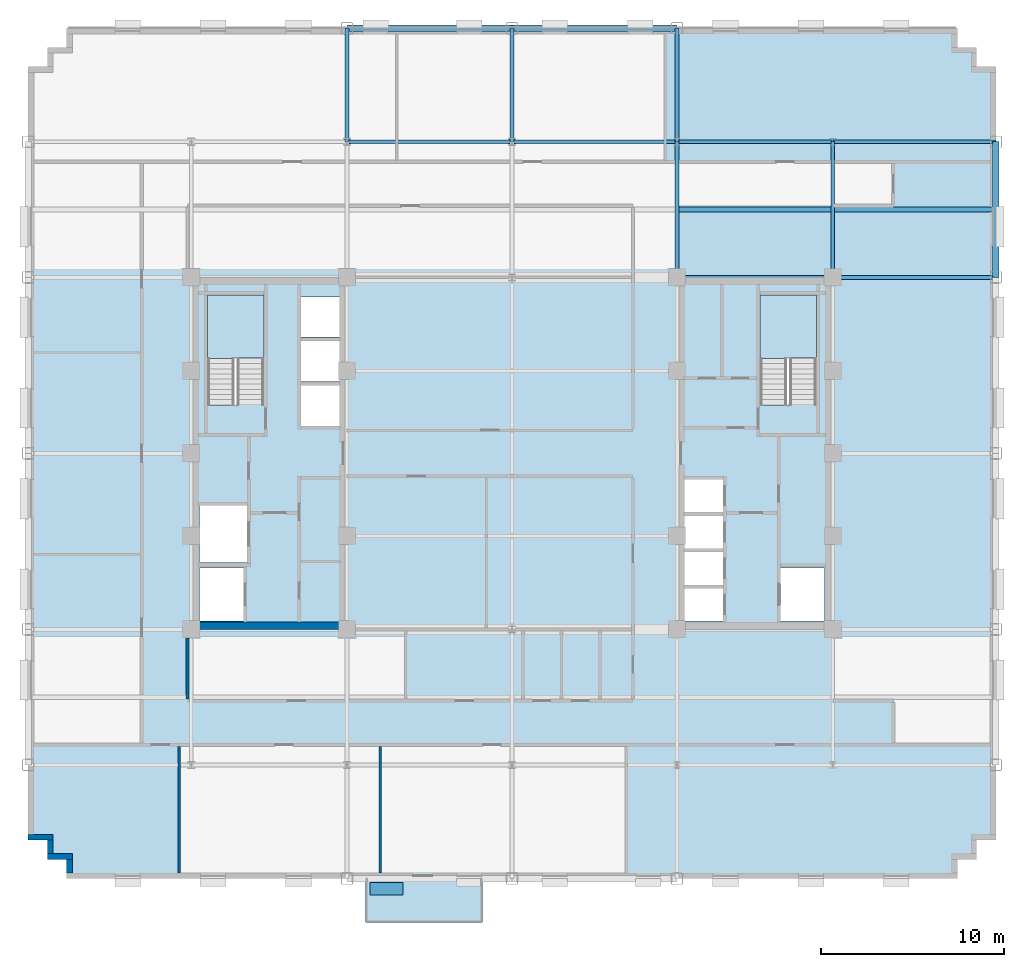
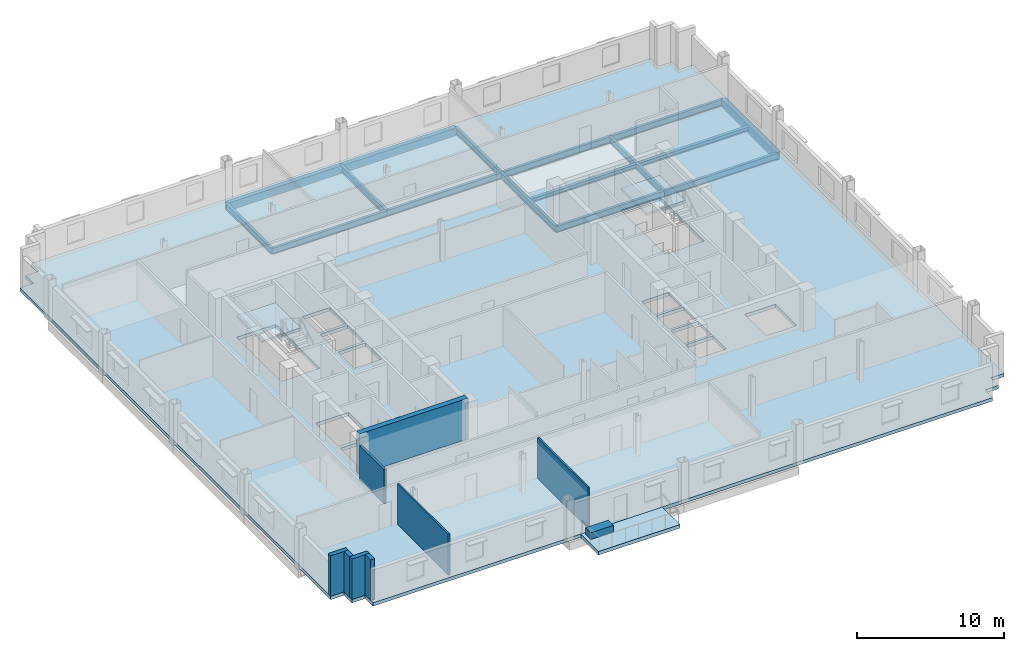
# One storey, part 5 of 13: 16 beams, 8 walls, 4 slabs, 1 plate, 2 elements without a shape of their own.
"""IFC4 building model written with IfcOpenShell, lengths in metres."""

from ifc_helpers import new_model, si_unit, direction, frame, frame_2d, origin, origin_2d, place, context, subcontext, project, spatial, polyline, rectangle, i_section, outline, extrude, source, transform, mapped, material, layer, layer_set, material_profile, profile_set, type_object, type_shapes, element, aggregate, save


model = new_model("IFC4")

# Units and contexts
model_context = context("Model", 3, precision=1e-05, world=origin(), true_north=direction((0.0, 1.0)))
body_context = subcontext(model_context, "Body", "Model", "MODEL_VIEW")
ifc_project = project(units=[si_unit("LENGTHUNIT", "METRE"), si_unit("AREAUNIT", "SQUARE_METRE"), si_unit("VOLUMEUNIT", "CUBIC_METRE"), si_unit("PLANEANGLEUNIT", "RADIAN"), si_unit("MASSUNIT", "GRAM", prefix="KILO")], contexts=[model_context])

# Site, building, storey
site_placement = place(None, origin())
site = spatial("IfcSite", under=ifc_project, at=site_placement, CompositionType="ELEMENT")
building_placement = place(site_placement, origin())
building = spatial("IfcBuilding", under=site, at=building_placement, Name="Nuvemarco Arch Tower", CompositionType="ELEMENT")
storey_placement = place(building_placement, frame((0.0, 0.0, 156.699951171875)))
storey = spatial("IfcBuildingStorey", under=building, at=storey_placement, Name="L41", CompositionType="ELEMENT", Elevation=156.699951171875)

# Beams
ifc_material_1 = material(Name="Steel S355", Category="steel")
ifc_material_profile_1 = material_profile(ifc_material_1, i_section(OverallWidth=0.2109375, OverallDepth=0.5390625, WebThickness=0.01171875, FlangeThickness=0.018798828125, FilletRadius=0.01611328125, at=origin_2d()), Name="W530x109")
ifc_profile_set_1 = profile_set([ifc_material_profile_1], Name="Steel S355")
beam_type_1 = type_object("IfcBeamType", Name="BM-GIRD-530", PredefinedType="BEAM", material=ifc_profile_set_1)
for number, where, z_axis, x_axis, name in (
    (1, (-9.0, 17.0, -0.549560546875), (0.0, 1.0, 0.0), (-1.0, 0.0, 0.0), "L41 structural beam BGNS_L41_0_-9.0_+17.0"),
    (2, (0.0, 17.0, -0.549560546875), (0.0, 1.0, 0.0), (-1.0, 0.0, 0.0), "L41 structural beam BGNS_L41_0_+0.0_+17.0"),
):
    element("IfcBeam", number, at=place(storey_placement, frame(where, z_axis=z_axis, x_axis=x_axis)), inside=storey, type_object=beam_type_1, Name=name, PredefinedType="BEAM", context=body_context, shape_type="SweptSolid", body=[
        extrude(i_section(OverallWidth=0.2109375, OverallDepth=0.5390625, WebThickness=0.01171875, FlangeThickness=0.018798828125, FilletRadius=0.01611328125, at=origin_2d()), origin(), (0.0, 0.0, 1.0), 6.199951171875),
    ])
beam_1_placement = place(storey_placement, frame((9.0, 9.60009765625, -0.549560546875), z_axis=(0.0, 1.0, 0.0), x_axis=(-1.0, 0.0, 0.0)))
element("IfcBeam", 3, at=beam_1_placement, inside=storey, type_object=beam_type_1, Name="L41 structural beam BGNS_L41_0_+9.0_+9.6", PredefinedType="BEAM", context=body_context, shape_type="SweptSolid", body=[
    extrude(i_section(OverallWidth=0.2109375, OverallDepth=0.5390625, WebThickness=0.01171875, FlangeThickness=0.018798828125, FilletRadius=0.01611328125, at=origin_2d()), origin(), (0.0, 0.0, 1.0), 7.39990234375),
])
beam_2_placement = place(storey_placement, frame((9.0, 17.0, -0.549560546875), z_axis=(0.0, 1.0, 0.0), x_axis=(-1.0, 0.0, 0.0)))
element("IfcBeam", 4, at=beam_2_placement, inside=storey, type_object=beam_type_1, Name="L41 structural beam BGNS_L41_0_+9.0_+17.0", PredefinedType="BEAM", context=body_context, shape_type="SweptSolid", body=[
    extrude(i_section(OverallWidth=0.2109375, OverallDepth=0.5390625, WebThickness=0.01171875, FlangeThickness=0.018798828125, FilletRadius=0.01611328125, at=origin_2d()), origin(), (0.0, 0.0, 1.0), 6.199951171875),
])
beam_3_placement = place(storey_placement, frame((17.5, 9.60009765625, -0.549560546875), z_axis=(0.0, 1.0, 0.0), x_axis=(-1.0, 0.0, 0.0)))
element("IfcBeam", 5, at=beam_3_placement, inside=storey, type_object=beam_type_1, Name="L41 structural beam BGNS_L41_0_+17.5_+9.6", PredefinedType="BEAM", context=body_context, shape_type="SweptSolid", body=[
    extrude(i_section(OverallWidth=0.2109375, OverallDepth=0.5390625, WebThickness=0.01171875, FlangeThickness=0.018798828125, FilletRadius=0.01611328125, at=origin_2d()), origin(), (0.0, 0.0, 1.0), 7.39990234375),
])
beam_4_placement = place(storey_placement, frame((9.0, 9.60009765625, -0.549560546875), z_axis=(1.0, 0.0, 0.0), x_axis=(0.0, 1.0, 0.0)))
element("IfcBeam", 6, at=beam_4_placement, inside=storey, type_object=beam_type_1, Name="L41 structural beam BGEW_L41_0_+9.6_+9.0", PredefinedType="BEAM", context=body_context, shape_type="SweptSolid", body=[
    extrude(i_section(OverallWidth=0.2109375, OverallDepth=0.5390625, WebThickness=0.01171875, FlangeThickness=0.018798828125, FilletRadius=0.01611328125, at=origin_2d()), origin(), (0.0, 0.0, 1.0), 8.5),
])
beam_5_placement = place(storey_placement, frame((17.5, 9.60009765625, -0.549560546875), z_axis=(1.0, 0.0, 0.0), x_axis=(0.0, 1.0, 0.0)))
element("IfcBeam", 7, at=beam_5_placement, inside=storey, type_object=beam_type_1, Name="L41 structural beam BGEW_L41_0_+9.6_+17.5", PredefinedType="BEAM", context=body_context, shape_type="SweptSolid", body=[
    extrude(i_section(OverallWidth=0.2109375, OverallDepth=0.5390625, WebThickness=0.01171875, FlangeThickness=0.018798828125, FilletRadius=0.01611328125, at=origin_2d()), origin(), (0.0, 0.0, 1.0), 8.89990234375),
])
for number, where, z_axis, x_axis, name in (
    (8, (-9.0, 17.0, -0.549560546875), (1.0, 0.0, 0.0), (0.0, 1.0, 0.0), "L41 structural beam BGEW_L41_0_+17.0_-9.0"),
    (9, (0.0, 17.0, -0.549560546875), (1.0, 0.0, 0.0), (0.0, 1.0, 0.0), "L41 structural beam BGEW_L41_0_+17.0_+0.0"),
):
    element("IfcBeam", number, at=place(storey_placement, frame(where, z_axis=z_axis, x_axis=x_axis)), inside=storey, type_object=beam_type_1, Name=name, PredefinedType="BEAM", context=body_context, shape_type="SweptSolid", body=[
        extrude(i_section(OverallWidth=0.2109375, OverallDepth=0.5390625, WebThickness=0.01171875, FlangeThickness=0.018798828125, FilletRadius=0.01611328125, at=origin_2d()), origin(), (0.0, 0.0, 1.0), 9.0),
    ])
beam_6_placement = place(storey_placement, frame((9.0, 17.0, -0.549560546875), z_axis=(1.0, 0.0, 0.0), x_axis=(0.0, 1.0, 0.0)))
element("IfcBeam", 10, at=beam_6_placement, inside=storey, type_object=beam_type_1, Name="L41 structural beam BGEW_L41_0_+17.0_+9.0", PredefinedType="BEAM", context=body_context, shape_type="SweptSolid", body=[
    extrude(i_section(OverallWidth=0.2109375, OverallDepth=0.5390625, WebThickness=0.01171875, FlangeThickness=0.018798828125, FilletRadius=0.01611328125, at=origin_2d()), origin(), (0.0, 0.0, 1.0), 8.5),
])
beam_7_placement = place(storey_placement, frame((17.5, 17.0, -0.549560546875), z_axis=(1.0, 0.0, 0.0), x_axis=(0.0, 1.0, 0.0)))
element("IfcBeam", 11, at=beam_7_placement, inside=storey, type_object=beam_type_1, Name="L41 structural beam BGEW_L41_0_+17.0_+17.5", PredefinedType="BEAM", context=body_context, shape_type="SweptSolid", body=[
    extrude(i_section(OverallWidth=0.2109375, OverallDepth=0.5390625, WebThickness=0.01171875, FlangeThickness=0.018798828125, FilletRadius=0.01611328125, at=origin_2d()), origin(), (0.0, 0.0, 1.0), 8.89990234375),
])
ifc_material_profile_2 = material_profile(ifc_material_1, i_section(OverallWidth=0.2548828125, OverallDepth=0.35693359375, WebThickness=0.010498046875, FlangeThickness=0.018310546875, FilletRadius=0.014892578125, at=origin_2d()), Name="W360x101")
ifc_profile_set_2 = profile_set([ifc_material_profile_2], Name="Steel S355")
beam_type_2 = type_object("IfcBeamType", Name="BM-JOIST-360H", PredefinedType="JOIST", material=ifc_profile_set_2)
beam_8_placement = place(storey_placement, frame((9.10546875, 13.300048828125, -0.45849609375), z_axis=(1.0, 0.0, 0.0), x_axis=(0.0, 1.0, 0.0)))
element("IfcBeam", 12, at=beam_8_placement, inside=storey, type_object=beam_type_2, Name="L41 structural beam BJ_L41_0_+13.3_+9.0", PredefinedType="JOIST", context=body_context, shape_type="SweptSolid", body=[
    extrude(i_section(OverallWidth=0.2548828125, OverallDepth=0.35693359375, WebThickness=0.010498046875, FlangeThickness=0.018310546875, FilletRadius=0.014892578125, at=origin_2d()), origin(), (0.0, 0.0, 1.0), 8.2890625),
])
beam_9_placement = place(storey_placement, frame((17.60546875, 13.300048828125, -0.45849609375), z_axis=(1.0, 0.0, 0.0), x_axis=(0.0, 1.0, 0.0)))
element("IfcBeam", 13, at=beam_9_placement, inside=storey, type_object=beam_type_2, Name="L41 structural beam BJ_L41_0_+13.3_+17.5", PredefinedType="JOIST", context=body_context, shape_type="SweptSolid", body=[
    extrude(i_section(OverallWidth=0.2548828125, OverallDepth=0.35693359375, WebThickness=0.010498046875, FlangeThickness=0.018310546875, FilletRadius=0.014892578125, at=origin_2d()), origin(), (0.0, 0.0, 1.0), 8.61962890625),
])
ifc_material_2 = material(Name="Precast concrete C45/55", Category="concrete")
ifc_material_profile_3 = material_profile(ifc_material_2, rectangle(XDim=0.35009765625, YDim=0.64990234375, at=origin_2d()), Name="PC-SP-350x650")
ifc_profile_set_3 = profile_set([ifc_material_profile_3], Name="Precast concrete C45/55")
beam_type_3 = type_object("IfcBeamType", Name="BM-SPAN-RC", PredefinedType="SPANDREL", material=ifc_profile_set_3)
beam_10_placement = place(storey_placement, frame((26.39990234375, 9.60009765625, -0.60498046875), z_axis=(0.0, 1.0, 0.0), x_axis=(-1.0, 0.0, 0.0)))
element("IfcBeam", 14, at=beam_10_placement, inside=storey, type_object=beam_type_3, Name="L41 structural beam BGNS_L41_0_+26.4_+9.6", PredefinedType="SPANDREL", context=body_context, shape_type="SweptSolid", body=[
    extrude(rectangle(XDim=0.35009765625, YDim=0.64990234375, at=origin_2d()), origin(), (0.0, 0.0, 1.0), 7.39990234375),
])
for number, where, z_axis, x_axis, name in (
    (15, (-9.0, 23.199951171875, -0.60498046875), (1.0, 0.0, 0.0), (0.0, 1.0, 0.0), "L41 structural beam BGEW_L41_0_+23.2_-9.0"),
    (16, (0.0, 23.199951171875, -0.60498046875), (1.0, 0.0, 0.0), (0.0, 1.0, 0.0), "L41 structural beam BGEW_L41_0_+23.2_+0.0"),
):
    element("IfcBeam", number, at=place(storey_placement, frame(where, z_axis=z_axis, x_axis=x_axis)), inside=storey, type_object=beam_type_3, Name=name, PredefinedType="SPANDREL", context=body_context, shape_type="SweptSolid", body=[
        extrude(rectangle(XDim=0.35009765625, YDim=0.64990234375, at=origin_2d()), origin(), (0.0, 0.0, 1.0), 9.0),
    ])

# Slab
ifc_material_3 = material(Name="Concrete C50/60", Category="concrete")
ifc_layer_1 = layer(ifc_material_3, 0.280029296875, Name="SL-FLR-280")
ifc_layer_set_1 = layer_set([ifc_layer_1], Name="Concrete C50/60")
slab_type_1 = type_object("IfcSlabType", Name="SL-FLR-280", PredefinedType="FLOOR", material=ifc_layer_set_1)
slab_1_placement = place(storey_placement, frame((0.0, 0.0, -0.280029296875)))
element("IfcSlab", 17, at=slab_1_placement, inside=storey, type_object=slab_type_1, Name="L41 structural floor slab", PredefinedType="FLOOR", context=body_context, shape_type="SweptSolid", body=[
    extrude(outline(polyline([(-24.300048828125, -23.199951171875), (24.300048828125, -23.199951171875), (24.300048828125, -22.14990234375), (25.35009765625, -22.14990234375), (25.35009765625, -21.10009765625), (26.39990234375, -21.10009765625), (26.39990234375, 21.10009765625), (25.35009765625, 21.10009765625), (25.35009765625, 22.14990234375), (24.300048828125, 22.14990234375), (24.300048828125, 23.199951171875), (-24.300048828125, 23.199951171875), (-24.300048828125, 22.14990234375), (-25.35009765625, 22.14990234375), (-25.35009765625, 21.10009765625), (-26.39990234375, 21.10009765625), (-26.39990234375, -21.10009765625), (-25.35009765625, -21.10009765625), (-25.35009765625, -22.14990234375), (-24.300048828125, -22.14990234375), (-24.300048828125, -23.199951171875)]), holes=[polyline([(-13.5400390625, 2.669921875), (-13.5400390625, 8.64990234375), (-16.60009765625, 8.64990234375), (-16.60009765625, 2.630615234375), (-15.070068359375, 2.630615234375), (-15.070068359375, 2.669921875), (-13.5400390625, 2.669921875)]), polyline([(16.60009765625, 2.669921875), (16.60009765625, 8.64990234375), (13.5400390625, 8.64990234375), (13.5400390625, 2.630615234375), (15.070068359375, 2.630615234375), (15.070068359375, 2.669921875), (16.60009765625, 2.669921875)]), polyline([(-17.050048828125, -9.14990234375), (-14.64990234375, -9.14990234375), (-14.64990234375, -6.25), (-17.050048828125, -6.25), (-17.050048828125, -9.14990234375)]), polyline([(-17.050048828125, -5.949951171875), (-14.449951171875, -5.949951171875), (-14.449951171875, -2.85009765625), (-17.050048828125, -2.85009765625), (-17.050048828125, -5.949951171875)]), polyline([(-11.5, 1.5), (-9.35009765625, 1.5), (-9.35009765625, 3.699951171875), (-11.5, 3.699951171875), (-11.5, 1.5)]), polyline([(-11.5, 3.919921875), (-9.35009765625, 3.919921875), (-9.35009765625, 6.1201171875), (-11.5, 6.1201171875), (-11.5, 3.919921875)]), polyline([(-11.5, 6.340087890625), (-9.35009765625, 6.340087890625), (-9.35009765625, 8.5400390625), (-11.5, 8.5400390625), (-11.5, 6.340087890625)]), polyline([(14.64990234375, -9.14990234375), (17.050048828125, -9.14990234375), (17.050048828125, -6.25), (14.64990234375, -6.25), (14.64990234375, -9.14990234375)]), polyline([(9.35009765625, -9.14990234375), (11.5, -9.14990234375), (11.5, -7.3701171875), (9.35009765625, -7.3701171875), (9.35009765625, -9.14990234375)]), polyline([(9.35009765625, -7.169921875), (11.5, -7.169921875), (11.5, -5.389892578125), (9.35009765625, -5.389892578125), (9.35009765625, -7.169921875)]), polyline([(9.35009765625, -5.18994140625), (11.5, -5.18994140625), (11.5, -3.409912109375), (9.35009765625, -3.409912109375), (9.35009765625, -5.18994140625)]), polyline([(9.35009765625, -3.2099609375), (11.5, -3.2099609375), (11.5, -1.429931640625), (9.35009765625, -1.429931640625), (9.35009765625, -3.2099609375)])]), origin(), (0.0, 0.0, 1.0), 0.280029296875),
])

# Stair, slab
stair_type = type_object("IfcStairType", Name="ST-CORE-20R", PredefinedType="HALF_TURN_STAIR", material=ifc_material_2)
stair_1_placement = place(storey_placement, origin())
stair_1 = element("IfcStair", 18, at=stair_1_placement, inside=storey, type_object=stair_type, Name="L41 Protected Exit Stair ST-1", PredefinedType="HALF_TURN_STAIR")
ifc_layer_2 = layer(ifc_material_2, 0.199951171875, Name="SL-LANDING-200")
ifc_layer_set_2 = layer_set([ifc_layer_2], Name="Precast concrete C45/55")
slab_type_2 = type_object("IfcSlabType", Name="SL-LANDING-200", PredefinedType="LANDING", material=ifc_layer_set_2)
slab_2_placement = place(storey_placement, frame((0.0, 0.0, 1.625)))
slab_2 = element("IfcSlab", 19, at=slab_2_placement, type_object=slab_type_2, Name="ST-20R landing 1", PredefinedType="LANDING", context=body_context, shape_type="SweptSolid", body=[
    extrude(outline(polyline([(-13.5400390625, 5.189453125), (-13.5400390625, 8.64990234375), (-16.60009765625, 8.64990234375), (-16.60009765625, 5.169921875), (-15.070068359375, 5.169921875), (-15.070068359375, 5.189453125), (-13.5400390625, 5.189453125)])), origin(), (0.0, 0.0, 1.0), 0.199951171875),
])
aggregate(stair_1, [slab_2])

stair_2_placement = place(storey_placement, origin())
stair_2 = element("IfcStair", 20, at=stair_2_placement, inside=storey, type_object=stair_type, Name="L41 Protected Exit Stair ST-2", PredefinedType="HALF_TURN_STAIR")
slab_3_placement = place(storey_placement, frame((0.0, 0.0, 1.625)))
slab_3 = element("IfcSlab", 21, at=slab_3_placement, type_object=slab_type_2, Name="ST-20R landing 1", PredefinedType="LANDING", context=body_context, shape_type="SweptSolid", body=[
    extrude(outline(polyline([(16.60009765625, 5.189453125), (16.60009765625, 8.64990234375), (13.5400390625, 8.64990234375), (13.5400390625, 5.169921875), (15.070068359375, 5.169921875), (15.070068359375, 5.189453125), (16.60009765625, 5.189453125)])), origin(), (0.0, 0.0, 1.0), 0.199951171875),
])
aggregate(stair_2, [slab_3])

# Slab
ifc_layer_3 = layer(ifc_material_3, 0.294921875, Name="SL-TR4")
ifc_layer_set_3 = layer_set([ifc_layer_3], Name="Concrete C50/60")
slab_type_3 = type_object("IfcSlabType", Name="SL-TR4", PredefinedType="FLOOR", material=ifc_layer_set_3)
slab_4_placement = place(storey_placement, frame((0.0, 0.0, -0.294921875)))
element("IfcSlab", 22, at=slab_4_placement, inside=storey, type_object=slab_type_3, Name="L41 outdoor spiral terrace slab 1", PredefinedType="FLOOR", context=body_context, shape_type="SweptSolid", body=[
    extrude(outline(polyline([(-8.0, -25.60009765625), (-1.60009765625, -25.60009765625), (-1.60009765625, -23.199951171875), (-8.0, -23.199951171875), (-8.0, -25.60009765625)])), origin(), (0.0, 0.0, 1.0), 0.294921875),
])

# Plate
ifc_layer_4 = layer(ifc_material_2, 0.550048828125, Name="Tree Balcony Structural Planter")
ifc_layer_set_4 = layer_set([ifc_layer_4], Name="Precast concrete C45/55")
plate_type = type_object("IfcPlateType", Name="Tree Balcony Structural Planter", PredefinedType="USERDEFINED", material=ifc_layer_set_4)
shared_shape = source(origin(), body_context, "Body", "SweptSolid", [
    extrude(rectangle(XDim=1.800048828125, YDim=0.699951171875, at=origin_2d()), origin(), (0.0, 0.0, 1.0), 0.550048828125),
])
type_shapes(plate_type, [shared_shape])
plate_placement = place(storey_placement, frame((-6.85009765625, -23.75, 0.0), z_axis=(0.0, 0.0, 1.0), x_axis=(1.0, 0.0, 0.0)))
element("IfcPlate", 23, at=plate_placement, inside=storey, type_object=plate_type, Name="L41 Tree Balcony Structural Planter", ObjectType="PLANTER", PredefinedType="USERDEFINED", context=body_context, shape_type="MappedRepresentation", body=[
    mapped(shared_shape, transform((0.0, 0.0, 0.0), scale=1.0)),
])

# Walls
ifc_layer_5 = layer(ifc_material_2, 0.320068359375, Name="EW-MID-320")
ifc_layer_set_5 = layer_set([ifc_layer_5], Name="Precast concrete C45/55")
wall_type_1 = type_object("IfcWallType", Name="EW-MID-320", PredefinedType="STANDARD", material=ifc_layer_set_5)
wall_1_placement = place(storey_placement, frame((-26.39990234375, -20.93994140625, 0.0), z_axis=(0.0, 0.0, 1.0), x_axis=(1.0, 0.0, 0.0)))
element("IfcWall", 24, at=wall_1_placement, inside=storey, type_object=wall_type_1, Name="L41 exterior precast facade wall 17", PredefinedType="STANDARD", context=body_context, shape_type="SweptSolid", body=[
    extrude(rectangle(XDim=1.369873046875, YDim=0.320068359375, at=frame_2d((0.68505859375, 0.0))), origin(), (0.0, 0.0, 1.0), 3.360107421875),
])
wall_2_placement = place(storey_placement, frame((-25.18994140625, -21.833984375, 0.0), z_axis=(0.0, 0.0, 1.0), x_axis=(0.0, 1.0, 0.0)))
element("IfcWall", 25, at=wall_2_placement, inside=storey, type_object=wall_type_1, Name="L41 exterior precast facade wall 18", PredefinedType="STANDARD", context=body_context, shape_type="SweptSolid", body=[
    extrude(rectangle(XDim=0.738037109375, YDim=0.320068359375, at=frame_2d((0.369140625, 0.0))), origin(), (0.0, 0.0, 1.0), 3.360107421875),
])
wall_3_placement = place(storey_placement, frame((-25.35009765625, -21.989990234375, 0.0), z_axis=(0.0, 0.0, 1.0), x_axis=(1.0, 0.0, 0.0)))
element("IfcWall", 26, at=wall_3_placement, inside=storey, type_object=wall_type_1, Name="L41 exterior precast facade wall 19", PredefinedType="STANDARD", context=body_context, shape_type="SweptSolid", body=[
    extrude(rectangle(XDim=1.3701171875, YDim=0.320068359375, at=frame_2d((0.68505859375, 0.0))), origin(), (0.0, 0.0, 1.0), 3.360107421875),
])
wall_4_placement = place(storey_placement, frame((-24.139892578125, -22.884033203125, 0.0), z_axis=(0.0, 0.0, 1.0), x_axis=(0.0, 1.0, 0.0)))
element("IfcWall", 27, at=wall_4_placement, inside=storey, type_object=wall_type_1, Name="L41 exterior precast facade wall 20", PredefinedType="STANDARD", context=body_context, shape_type="SweptSolid", body=[
    extrude(rectangle(XDim=0.738037109375, YDim=0.320068359375, at=frame_2d((0.369140625, 0.0))), origin(), (0.0, 0.0, 1.0), 3.360107421875),
])
ifc_material_4 = material(Name="Concrete C60/75", Category="concrete")
ifc_layer_6 = layer(ifc_material_4, 0.39990234375, Name="WL-CORE-400")
ifc_layer_set_6 = layer_set([ifc_layer_6], Name="Concrete C60/75")
wall_type_2 = type_object("IfcWallType", Name="WL-CORE-400", PredefinedType="SHEAR", material=ifc_layer_set_6)
wall_5_placement = place(storey_placement, frame((-17.5, -9.39990234375, 0.0), z_axis=(0.0, 0.0, 1.0), x_axis=(1.0, 0.0, 0.0)))
element("IfcWall", 28, at=wall_5_placement, inside=storey, type_object=wall_type_2, Name="L41 W-core shear wall S", PredefinedType="SHEAR", context=body_context, shape_type="SweptSolid", body=[
    extrude(rectangle(XDim=8.5, YDim=0.39990234375, at=frame_2d((4.25, 0.0))), origin(), (0.0, 0.0, 1.0), 3.3701171875),
])
ifc_material_5 = material(Name="Fire-rated gypsum drywall partition")
ifc_layer_7 = layer(ifc_material_5, 0.179931640625, Name="WL-CORR-180")
ifc_layer_set_7 = layer_set([ifc_layer_7], Name="Fire-rated gypsum drywall partition")
wall_type_3 = type_object("IfcWallType", Name="WL-CORR-180", PredefinedType="PARTITIONING", material=ifc_layer_set_7)
wall_6_placement = place(storey_placement, frame((-17.699951171875, -13.4140625, 0.0), z_axis=(0.0, 0.0, 1.0), x_axis=(0.0, 1.0, 0.0)))
element("IfcWall", 29, at=wall_6_placement, inside=storey, type_object=wall_type_3, Name="L41 interior wall IW-L41-017", PredefinedType="PARTITIONING", context=body_context, shape_type="SweptSolid", body=[
    extrude(rectangle(XDim=3.343017578125, YDim=0.179931640625, at=frame_2d((1.67138671875, 0.0))), origin(), (0.0, 0.0, 1.0), 2.816162109375),
])
ifc_material_6 = material(Name="Glazed acoustic office partition")
ifc_layer_8 = layer(ifc_material_6, 0.1298828125, Name="WL-EXEC-130")
ifc_layer_set_8 = layer_set([ifc_layer_8], Name="Glazed acoustic office partition")
wall_type_4 = type_object("IfcWallType", Name="WL-EXEC-130", PredefinedType="PARTITIONING", material=ifc_layer_set_8)
for number, where, z_axis, x_axis, name in (
    (30, (-18.14990234375, -22.8798828125, 0.0), (0.0, 0.0, 1.0), (0.0, 1.0, 0.0), "L41 interior wall IW-L41-016"),
    (31, (-7.179931640625, -22.8798828125, 0.0), (0.0, 0.0, 1.0), (0.0, 1.0, 0.0), "L41 interior wall IW-L41-019"),
):
    element("IfcWall", number, at=place(storey_placement, frame(where, z_axis=z_axis, x_axis=x_axis)), inside=storey, type_object=wall_type_4, Name=name, PredefinedType="PARTITIONING", context=body_context, shape_type="SweptSolid", body=[
        extrude(rectangle(XDim=6.893798828125, YDim=0.1298828125, at=frame_2d((3.44677734375, 0.0))), origin(), (0.0, 0.0, 1.0), 3.360107421875),
    ])

save(model, "model.ifc")
